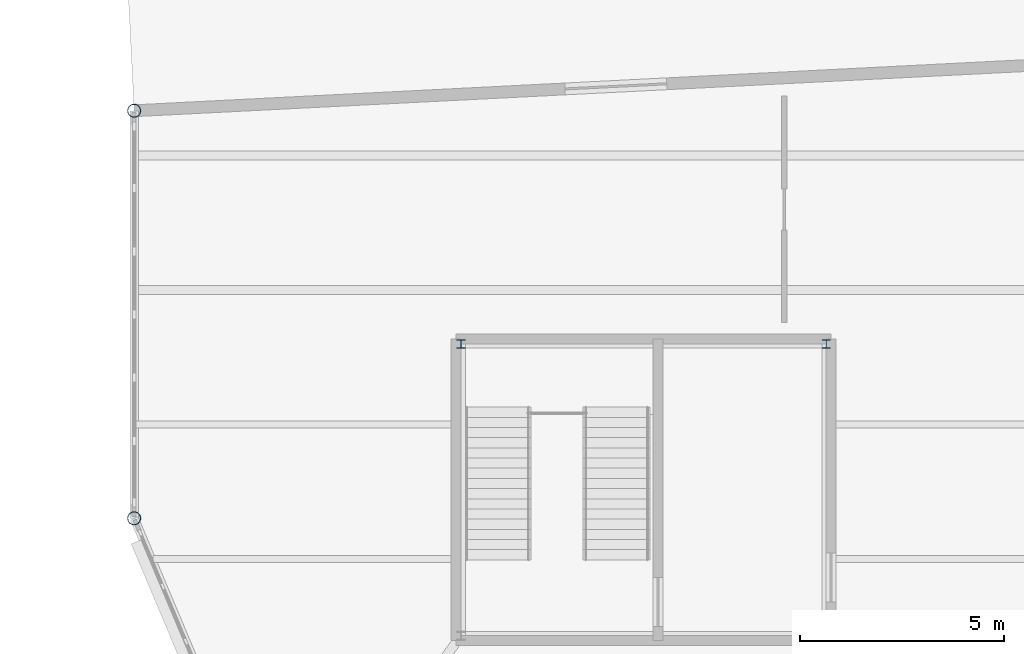
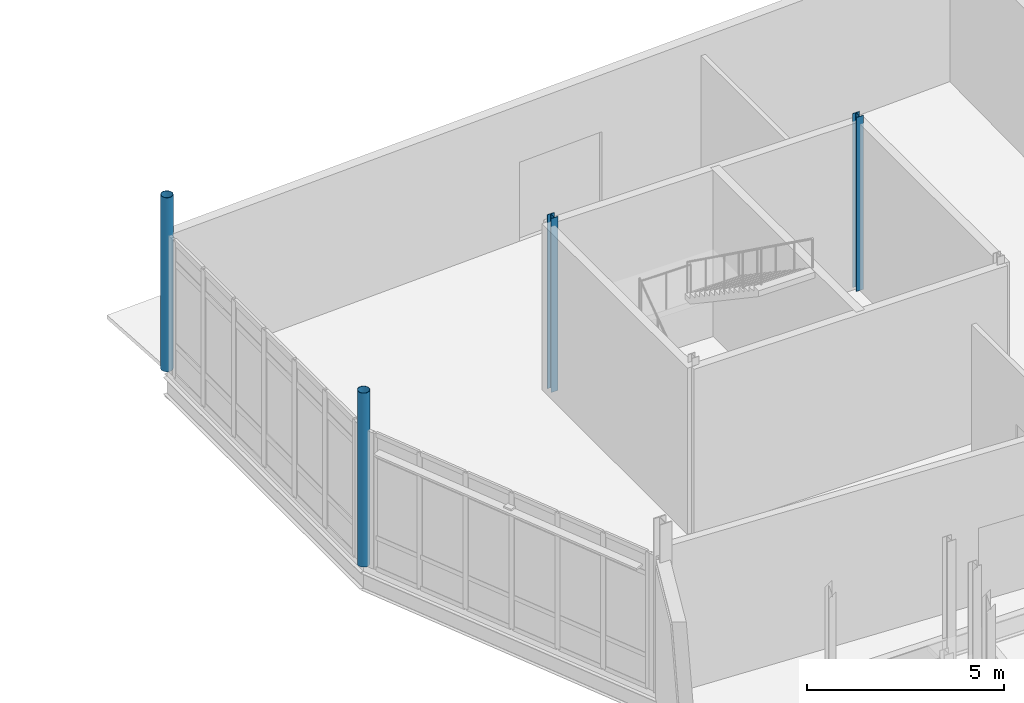
# One storey, part 6 of 113: 4 columns.
"""IFC4 building model written with IfcOpenShell, lengths in metres."""

from ifc_helpers import new_model, si_unit, direction, frame, origin, origin_2d, place, context, subcontext, project, spatial, hollow_circle, i_section, extrude, material, material_profile, profile_set, type_object, element, save


model = new_model("IFC4")

# Units and contexts
model_context = context("Model", 3, precision=1e-05, world=origin(), true_north=direction((0.0, 1.0)))
body_context = subcontext(model_context, "Body", "Model", "MODEL_VIEW")
ifc_project = project(units=[si_unit("LENGTHUNIT", "METRE"), si_unit("AREAUNIT", "SQUARE_METRE"), si_unit("VOLUMEUNIT", "CUBIC_METRE"), si_unit("PLANEANGLEUNIT", "RADIAN"), si_unit("MASSUNIT", "GRAM", prefix="KILO")], contexts=[model_context])

# Site, building, storey
site_placement = place(None, origin())
site = spatial("IfcSite", under=ifc_project, at=site_placement, CompositionType="ELEMENT")
building_placement = place(site_placement, origin())
building = spatial("IfcBuilding", under=site, at=building_placement, Name="Tameran Prism Museum", CompositionType="ELEMENT")
storey_placement = place(building_placement, origin())
storey = spatial("IfcBuildingStorey", under=building, at=storey_placement, Name="L00", CompositionType="ELEMENT", Elevation=0.0)

# Columns
ifc_material_1 = material(Name="Steel Grade C350L0 (350 MPa)", Category="steel")
ifc_material_profile_1 = material_profile(ifc_material_1, hollow_circle(Radius=0.161865234375, WallThickness=0.010009765625, at=origin_2d()))
ifc_profile_set_1 = profile_set([ifc_material_profile_1])
column_type_1 = type_object("IfcColumnType", Name="COL-CHS324", PredefinedType="COLUMN", material=ifc_profile_set_1)
for number, where, z_axis, x_axis, name in (
    (1, (0.0, 31.800048828125, 0.0), (0.0, 0.0, 1.0), (1.0, 0.0, 0.0), "Column CV-03 L00"),
    (2, (0.0, 41.800048828125, 0.0), (0.0, 0.0, 1.0), (1.0, 0.0, 0.0), "Column CV-04 L00"),
):
    element("IfcColumn", number, at=place(storey_placement, frame(where, z_axis=z_axis, x_axis=x_axis)), inside=storey, type_object=column_type_1, Name=name, PredefinedType="COLUMN", context=body_context, shape_type="SweptSolid", body=[
        extrude(hollow_circle(Radius=0.161865234375, WallThickness=0.010009765625, at=origin_2d()), origin(), (0.0, 0.0, 1.0), 5.39990234375),
    ])
ifc_material_2 = material(Name="Steel Grade 300PLUS (300 MPa)", Category="steel")
ifc_material_profile_2 = material_profile(ifc_material_2, i_section(OverallWidth=0.205078125, OverallDepth=0.2099609375, WebThickness=0.00927734375, FlangeThickness=0.01416015625, FilletRadius=0.01025390625, at=origin_2d()))
ifc_profile_set_2 = profile_set([ifc_material_profile_2])
column_type_2 = type_object("IfcColumnType", Name="COL-UC200", PredefinedType="COLUMN", material=ifc_profile_set_2)
for number, where, z_axis, x_axis, name in (
    (3, (16.97998046875, 36.080078125, 0.0), (0.0, 0.0, 1.0), (1.0, 0.0, 0.0), "Column CC-10-3 L00"),
    (4, (8.02001953125, 36.080078125, 0.0), (0.0, 0.0, 1.0), (1.0, 0.0, 0.0), "Column CC-10-4 L00"),
):
    element("IfcColumn", number, at=place(storey_placement, frame(where, z_axis=z_axis, x_axis=x_axis)), inside=storey, type_object=column_type_2, Name=name, PredefinedType="COLUMN", context=body_context, shape_type="SweptSolid", body=[
        extrude(i_section(OverallWidth=0.205078125, OverallDepth=0.2099609375, WebThickness=0.00927734375, FlangeThickness=0.01416015625, FilletRadius=0.01025390625, at=origin_2d()), origin(), (0.0, 0.0, 1.0), 5.39990234375),
    ])

save(model, "model.ifc")
